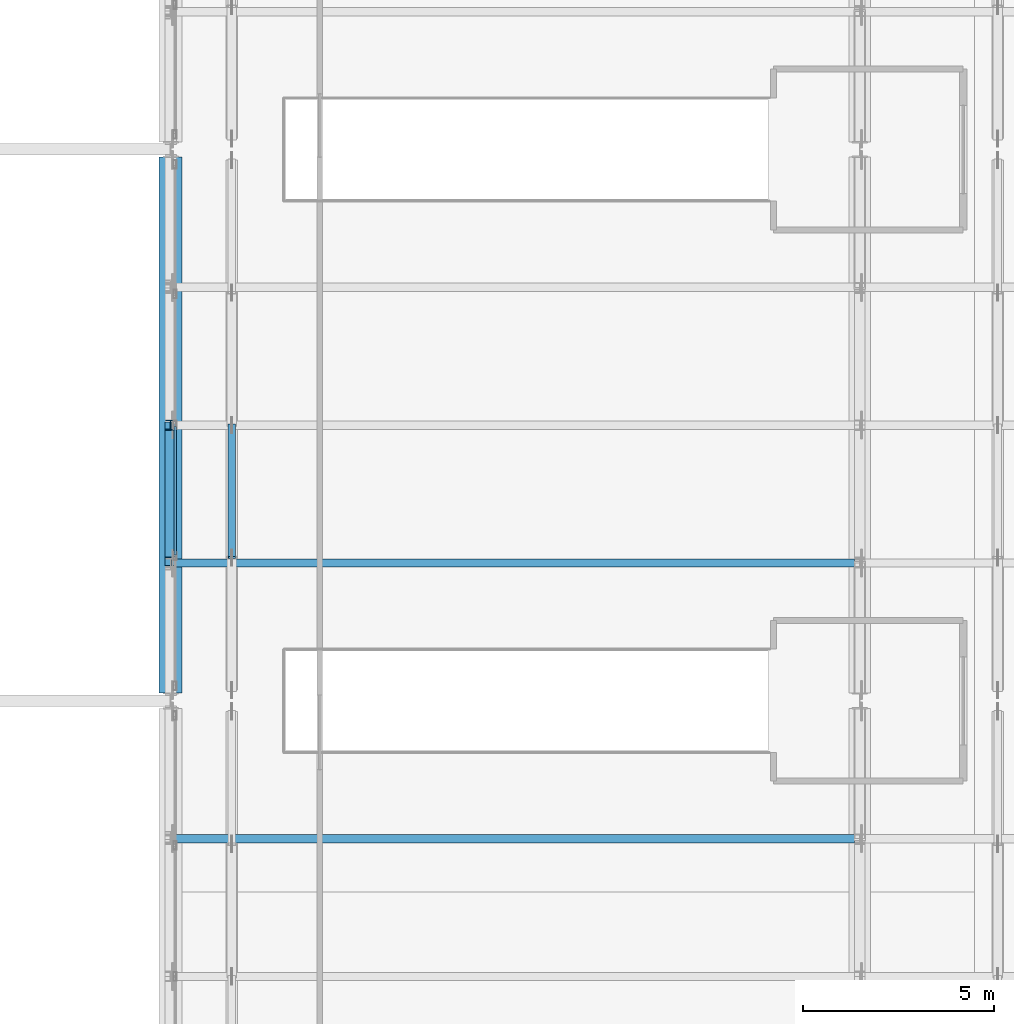
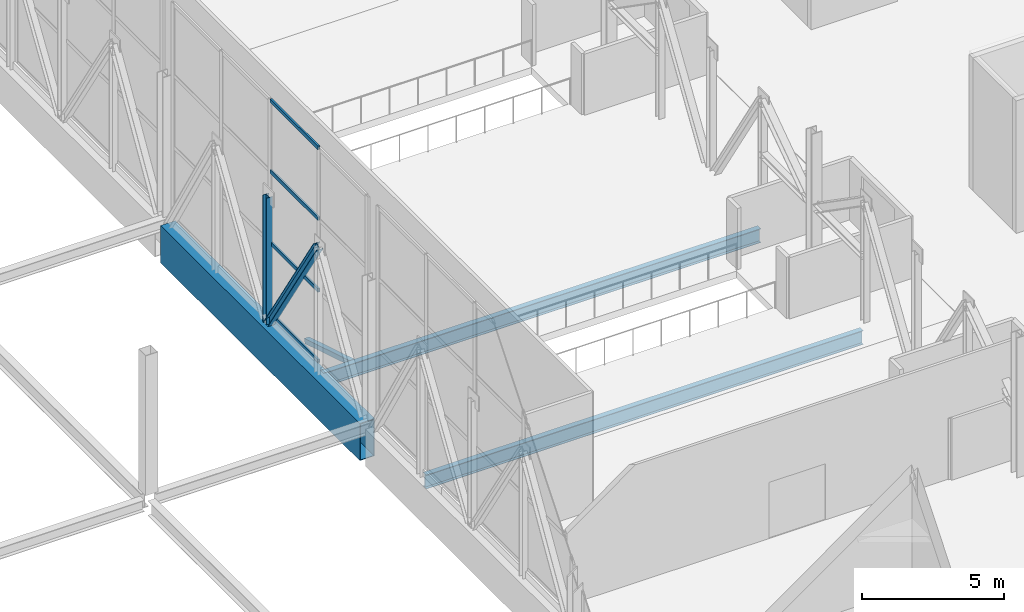
# One storey, part 34 of 191: 7 members, 3 beams, 1 element without a shape of its own.
"""IFC4 building model written with IfcOpenShell, lengths in metres."""

from ifc_helpers import new_model, si_unit, direction, frame, origin, origin_2d, place, context, subcontext, project, spatial, hollow_rectangle, i_section, extrude, material, layer, layer_set, material_profile, profile_set, type_object, element, aggregate, save


model = new_model("IFC4")

# Units and contexts
model_context = context("Model", 3, precision=1e-05, world=origin(), true_north=direction((0.0, 1.0)))
body_context = subcontext(model_context, "Body", "Model", "MODEL_VIEW")
ifc_project = project(units=[si_unit("LENGTHUNIT", "METRE"), si_unit("AREAUNIT", "SQUARE_METRE"), si_unit("VOLUMEUNIT", "CUBIC_METRE"), si_unit("PLANEANGLEUNIT", "RADIAN"), si_unit("MASSUNIT", "GRAM", prefix="KILO")], contexts=[model_context])

# Site, building, storey
site_placement = place(None, origin())
site = spatial("IfcSite", under=ifc_project, at=site_placement, CompositionType="ELEMENT")
building_placement = place(site_placement, origin())
building = spatial("IfcBuilding", under=site, at=building_placement, Name="Tamarisk Ironworks Central Station", CompositionType="ELEMENT")
storey_placement = place(building_placement, frame((0.0, 0.0, 6.60009765625)))
storey = spatial("IfcBuildingStorey", under=building, at=storey_placement, Name="L01", CompositionType="ELEMENT", Elevation=6.60009765625)

# Beams
ifc_material_1 = material(Name="Structural steel S355J2", Category="steel")
ifc_material_profile_1 = material_profile(ifc_material_1, i_section(OverallWidth=0.219970703125, OverallDepth=0.60009765625, WebThickness=0.011962890625, FlangeThickness=0.01904296875, at=origin_2d()), Name="IPE 600")
ifc_profile_set_1 = profile_set([ifc_material_profile_1], Name="Structural steel S355J2")
beam_type_1 = type_object("IfcBeamType", Name="BM-B01", PredefinedType="BEAM", material=ifc_profile_set_1)
for number, where, z_axis, x_axis, name in (
    (1, (54.135009765625, 32.39990234375, -0.60009765625), (1.0, 0.0, 0.0), (0.0, 1.0, 0.0), "L01 secondary composite beam 0003"),
    (2, (54.135009765625, 39.60009765625, -0.60009765625), (1.0, 0.0, 0.0), (0.0, 1.0, 0.0), "L01 secondary composite beam 0004"),
):
    element("IfcBeam", number, at=place(storey_placement, frame(where, z_axis=z_axis, x_axis=x_axis)), inside=storey, type_object=beam_type_1, Name=name, PredefinedType="BEAM", context=body_context, shape_type="SweptSolid", body=[
        extrude(i_section(OverallWidth=0.219970703125, OverallDepth=0.60009765625, WebThickness=0.011962890625, FlangeThickness=0.01904296875, at=origin_2d()), origin(), (0.0, 0.0, 1.0), 17.72998046875),
    ])
ifc_material_profile_2 = material_profile(ifc_material_1, hollow_rectangle(XDim=0.60009765625, YDim=1.60009765625, WallThickness=0.031982421875, at=origin_2d()), Name="BOX 600x1600x32")
ifc_profile_set_2 = profile_set([ifc_material_profile_2], Name="Structural steel S355J2")
beam_type_2 = type_object("IfcBeamType", Name="BM-TG01", PredefinedType="USERDEFINED", material=ifc_profile_set_2)
beam_placement = place(storey_placement, frame((54.0, 36.200439453125, -1.10009765625), z_axis=(0.0, 1.0, 0.0), x_axis=(-1.0, 0.0, 0.0)))
element("IfcBeam", 3, at=beam_placement, inside=storey, type_object=beam_type_2, Name="L01 primary girder Y-0209", ObjectType="TRANSFER GIRDER", PredefinedType="USERDEFINED", context=body_context, shape_type="SweptSolid", body=[
    extrude(hollow_rectangle(XDim=0.60009765625, YDim=1.60009765625, WallThickness=0.031982421875, at=origin_2d()), origin(), (0.0, 0.0, 1.0), 13.9990234375),
])

# Curtain wall, members
ifc_material_2 = material(Name="Anodized aluminium alloy 6063-T6", Category="aluminium")
ifc_layer = layer(ifc_material_2, 0.179931640625)
ifc_layer_set = layer_set([ifc_layer], Name="Anodized aluminium alloy 6063-T6")
curtain_wall_type = type_object("IfcCurtainWallType", Name="CW-06", PredefinedType="USERDEFINED", material=ifc_layer_set)
curtain_wall_placement = place(storey_placement, origin())
curtain_wall = element("IfcCurtainWall", 4, at=curtain_wall_placement, inside=storey, type_object=curtain_wall_type, Name="Concourse W track-overlook curtain wall 03", ObjectType="GLAZED CURTAIN WALL", PredefinedType="USERDEFINED")
ifc_material_profile_3 = material_profile(ifc_material_2, hollow_rectangle(XDim=0.074951171875, YDim=0.159912109375, WallThickness=0.00390625, at=origin_2d()), Name="ALUM 160x75")
ifc_profile_set_3 = profile_set([ifc_material_profile_3], Name="Anodized aluminium alloy 6063-T6")
member_type_1 = type_object("IfcMemberType", Name="CWT-01", PredefinedType="USERDEFINED", material=ifc_profile_set_3)
member_1_placement = place(storey_placement, frame((54.1201171875, 39.80859375, 0.037353515625), z_axis=(0.0, 1.0, 0.0), x_axis=(-1.0, 0.0, 0.0)))
member_1 = element("IfcMember", 5, at=member_1_placement, type_object=member_type_1, Name="CW06 transom 2.1", ObjectType="TRANSOM", PredefinedType="USERDEFINED", context=body_context, shape_type="SweptSolid", body=[
    extrude(hollow_rectangle(XDim=0.074951171875, YDim=0.159912109375, WallThickness=0.00390625, at=origin_2d()), origin(), (0.0, 0.0, 1.0), 3.35791015625),
])
member_2_placement = place(storey_placement, frame((54.1201171875, 39.80859375, 3.0732421875), z_axis=(0.0, 1.0, 0.0), x_axis=(-1.0, 0.0, 0.0)))
member_2 = element("IfcMember", 6, at=member_2_placement, type_object=member_type_1, Name="CW06 transom 2.2", ObjectType="TRANSOM", PredefinedType="USERDEFINED", context=body_context, shape_type="SweptSolid", body=[
    extrude(hollow_rectangle(XDim=0.074951171875, YDim=0.159912109375, WallThickness=0.00390625, at=origin_2d()), origin(), (0.0, 0.0, 1.0), 3.35791015625),
])
member_3_placement = place(storey_placement, frame((54.1201171875, 39.80859375, 6.146484375), z_axis=(0.0, 1.0, 0.0), x_axis=(-1.0, 0.0, 0.0)))
member_3 = element("IfcMember", 7, at=member_3_placement, type_object=member_type_1, Name="CW06 transom 2.3", ObjectType="TRANSOM", PredefinedType="USERDEFINED", context=body_context, shape_type="SweptSolid", body=[
    extrude(hollow_rectangle(XDim=0.074951171875, YDim=0.159912109375, WallThickness=0.00390625, at=origin_2d()), origin(), (0.0, 0.0, 1.0), 3.35791015625),
])
member_4_placement = place(storey_placement, frame((54.1201171875, 39.80859375, 9.182373046875), z_axis=(0.0, 1.0, 0.0), x_axis=(-1.0, 0.0, 0.0)))
member_4 = element("IfcMember", 8, at=member_4_placement, type_object=member_type_1, Name="CW06 transom 2.4", ObjectType="TRANSOM", PredefinedType="USERDEFINED", context=body_context, shape_type="SweptSolid", body=[
    extrude(hollow_rectangle(XDim=0.074951171875, YDim=0.159912109375, WallThickness=0.00390625, at=origin_2d()), origin(), (0.0, 0.0, 1.0), 3.35791015625),
])
aggregate(curtain_wall, [member_1, member_2, member_3, member_4])

# Members
ifc_material_3 = material(Name="Structural steel S355J2H", Category="steel")
ifc_material_profile_4 = material_profile(ifc_material_3, hollow_rectangle(XDim=0.199951171875, YDim=0.199951171875, WallThickness=0.010009765625, at=origin_2d()), Name="SHS 200x200x10")
ifc_profile_set_4 = profile_set([ifc_material_profile_4], Name="Structural steel S355J2H")
member_type_2 = type_object("IfcMemberType", Name="MB-BR02", PredefinedType="BRACE", material=ifc_profile_set_4)
member_5_placement = place(storey_placement, frame((55.60009765625, 39.739990234375, -0.580078125), z_axis=(0.0, 0.956131332595, -0.292938346467), x_axis=(-1.0, 0.0, 0.0)))
element("IfcMember", 9, at=member_5_placement, inside=storey, type_object=member_type_2, Name="Bridge deck stiffening web brace 122", PredefinedType="BRACE", context=body_context, shape_type="SweptSolid", body=[
    extrude(hollow_rectangle(XDim=0.199951171875, YDim=0.199951171875, WallThickness=0.010009765625, at=origin_2d()), origin(), (0.0, 0.0, 1.0), 3.61865234375),
])
ifc_material_profile_5 = material_profile(ifc_material_1, i_section(OverallWidth=0.280029296875, OverallDepth=0.280029296875, WebThickness=0.010498046875, FlangeThickness=0.01806640625, at=origin_2d()), Name="HEB 280")
ifc_profile_set_5 = profile_set([ifc_material_profile_5], Name="Structural steel S355J2")
member_type_3 = type_object("IfcMemberType", Name="MB-TTD02", PredefinedType="BRACE", material=ifc_profile_set_5)
member_6_placement = place(storey_placement, frame((54.0, 39.639892578125, 5.119873046875), z_axis=(0.0, 0.539055818311, -0.842270042649), x_axis=(-1.0, 0.0, 0.0)))
element("IfcMember", 10, at=member_6_placement, inside=storey, type_object=member_type_3, Name="Transfer truss diagonal 009", PredefinedType="BRACE", context=body_context, shape_type="SweptSolid", body=[
    extrude(i_section(OverallWidth=0.280029296875, OverallDepth=0.280029296875, WebThickness=0.010498046875, FlangeThickness=0.01806640625, at=origin_2d()), origin(), (0.0, 0.0, 1.0), 6.530029296875),
])
ifc_material_profile_6 = material_profile(ifc_material_1, i_section(OverallWidth=0.260009765625, OverallDepth=0.260009765625, WebThickness=0.010009765625, FlangeThickness=0.017578125, at=origin_2d()), Name="HEB 260")
ifc_profile_set_6 = profile_set([ifc_material_profile_6], Name="Structural steel S355J2")
member_type_4 = type_object("IfcMemberType", Name="MB-TTP01", PredefinedType="POST", material=ifc_profile_set_6)
member_7_placement = place(storey_placement, frame((54.0, 43.199951171875, -0.340087890625), z_axis=(0.0, 0.0, 1.0), x_axis=(1.0, 0.0, 0.0)))
element("IfcMember", 11, at=member_7_placement, inside=storey, type_object=member_type_4, Name="Transfer truss vertical post 012", PredefinedType="POST", context=body_context, shape_type="SweptSolid", body=[
    extrude(i_section(OverallWidth=0.260009765625, OverallDepth=0.260009765625, WebThickness=0.010009765625, FlangeThickness=0.017578125, at=origin_2d()), origin(), (0.0, 0.0, 1.0), 5.4599609375),
])

save(model, "model.ifc")
